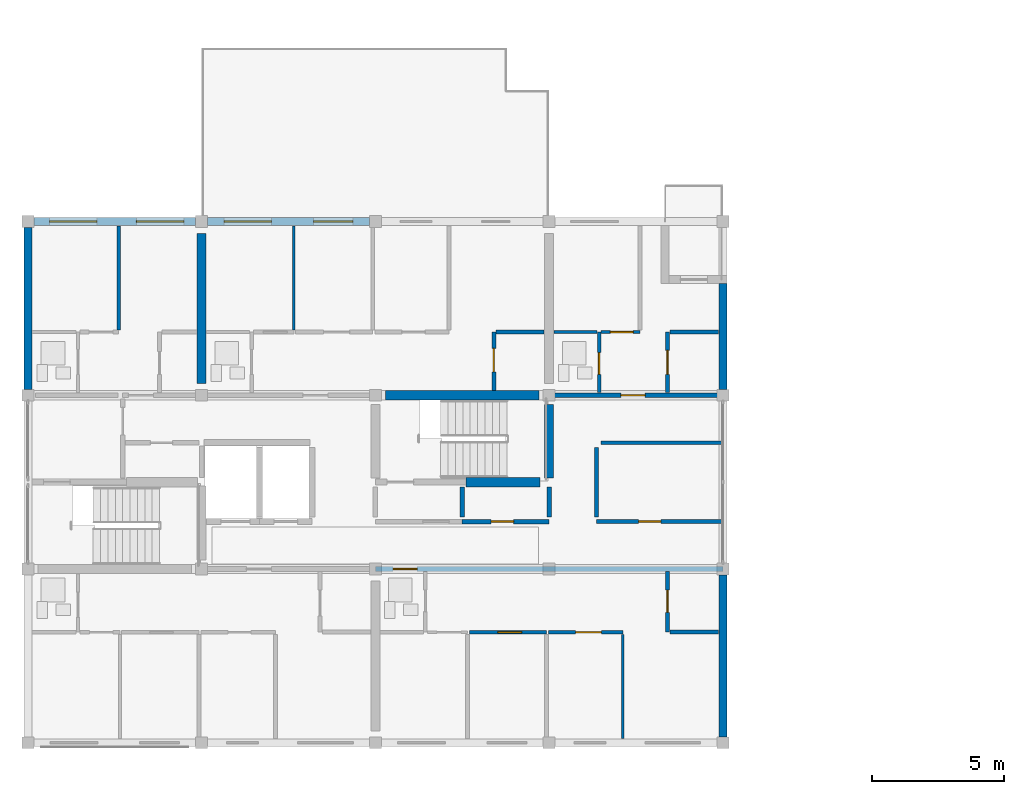
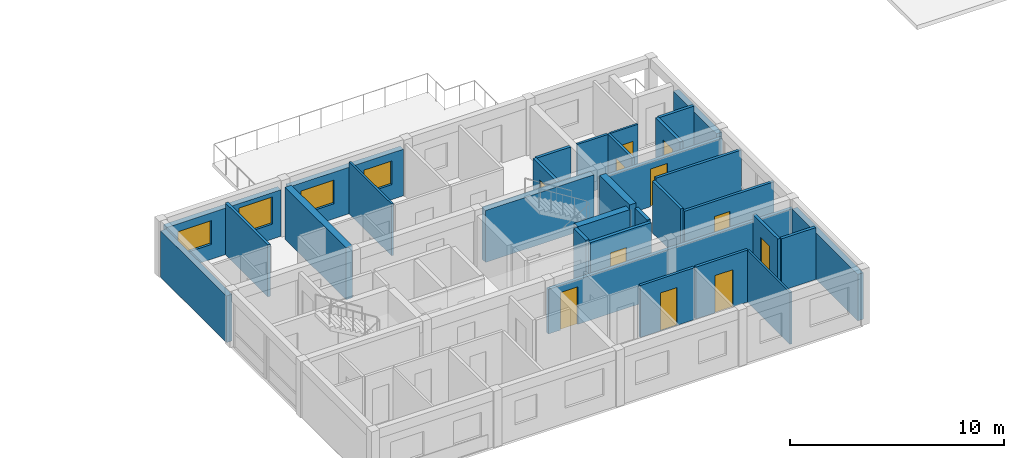
# One storey, part 28 of 51: 31 walls, 11 doors, 4 windows, 15 openings.
"""IFC4 building model written with IfcOpenShell, lengths in metres."""

import ifcopenshell
import ifcopenshell.guid

model = None  # the IFC model being written
_history = None  # IfcOwnerHistory: only IFC2X3 demands one
_inside = {}  # id of a spatial element -> (the spatial element, [elements in it])
_under = {}  # id of a project, library or spatial element -> (it, [spatial elements below it])
_declared = {}  # id of a project -> (the project, [libraries it declares])
_typed = {}  # id of a type object -> (the type object, [elements of that type])
_made_of = {}  # id of a material, layer set ... -> (it, [elements and type objects made of it])


def new_model(schema):
    """Start an empty IFC model of exactly this schema.

    Asked for "IFC4X3", IfcOpenShell would pick the latest addendum, in which some entities
    have other attributes; the version numbers below select the first issue.
    IFC2X3 requires an IfcOwnerHistory on every rooted entity: one is made here for all.
    """
    global model, _history
    if schema == "IFC4X3":
        model = ifcopenshell.file(schema_version=(4, 3, 0, 0))
    else:
        model = ifcopenshell.file(schema=schema)
    _inside.clear()
    _under.clear()
    _declared.clear()
    _typed.clear()
    _made_of.clear()
    _history = None
    if model.schema == "IFC2X3":
        org = make("IfcOrganization", Name="unknown")
        user = make(
            "IfcPersonAndOrganization",
            ThePerson=make("IfcPerson", FamilyName="unknown"),
            TheOrganization=org,
        )
        app = make(
            "IfcApplication",
            ApplicationDeveloper=org,
            Version="unknown",
            ApplicationFullName="unknown",
            ApplicationIdentifier="unknown",
        )
        _history = make(
            "IfcOwnerHistory",
            OwningUser=user,
            OwningApplication=app,
            ChangeAction="ADDED",
            CreationDate=0,
        )
    return model


def make(cls, **values):
    """One entity of the class cls with the attributes given. An attribute that is None is left unset."""
    return model.create_entity(
        cls, **{name: value for name, value in values.items() if value is not None}
    )


def rooted(cls, **values):
    """An entity with a GlobalId (a new one), such as an element, a storey or a relation."""
    return make(cls, GlobalId=ifcopenshell.guid.new(), OwnerHistory=_history, **values)


def si_unit(unit_type, name, prefix=None):
    """IfcSIUnit, for example si_unit("LENGTHUNIT", "METRE", prefix="MILLI")."""
    return make("IfcSIUnit", UnitType=unit_type, Prefix=prefix, Name=name)


def assignment(units):
    """IfcUnitAssignment: the units of a project."""
    return None if units is None else make("IfcUnitAssignment", Units=units)


def point(xyz):
    """IfcCartesianPoint."""
    return None if xyz is None else make("IfcCartesianPoint", Coordinates=xyz)


def direction(xyz):
    """IfcDirection."""
    return None if xyz is None else make("IfcDirection", DirectionRatios=xyz)


def frame(location, z_axis=None, x_axis=None):
    """IfcAxis2Placement3D, a coordinate frame: its origin and axes. An axis left out is left unset."""
    return make(
        "IfcAxis2Placement3D",
        Location=point(location),
        Axis=direction(z_axis),
        RefDirection=direction(x_axis),
    )


def frame_2d(location, x_axis=None):
    """IfcAxis2Placement2D, a coordinate frame in the plane: its origin and x axis."""
    return make(
        "IfcAxis2Placement2D", Location=point(location), RefDirection=direction(x_axis)
    )


def origin():
    """The frame at (0, 0, 0) with its axes left unset."""
    return frame((0.0, 0.0, 0.0))


def place(relative_to, where):
    """IfcLocalPlacement: puts the frame where relative to a parent placement (None: the world)."""
    return make(
        "IfcLocalPlacement", PlacementRelTo=relative_to, RelativePlacement=where
    )


def context(
    kind, dimensions, precision=None, world=None, true_north=None, identifier=None
):
    """IfcGeometricRepresentationContext, for example the 3D "Model" context."""
    return make(
        "IfcGeometricRepresentationContext",
        ContextIdentifier=identifier,
        ContextType=kind,
        CoordinateSpaceDimension=dimensions,
        Precision=precision,
        WorldCoordinateSystem=world,
        TrueNorth=true_north,
    )


def subcontext(parent, identifier, kind, view, scale=None):
    """IfcGeometricRepresentationSubContext, for example "Body" below "Model"."""
    return make(
        "IfcGeometricRepresentationSubContext",
        ContextIdentifier=identifier,
        ContextType=kind,
        ParentContext=parent,
        TargetScale=scale,
        TargetView=view,
    )


def project(units=None, contexts=None):
    """IfcProject with its units and contexts."""
    return rooted(
        "IfcProject",
        Name="project",
        RepresentationContexts=contexts,
        UnitsInContext=assignment(units),
    )


def spatial(cls, under=None, at=None, **own):
    """A site, building, storey or space (cls), placed at a placement, below another one or the project."""
    s = rooted(cls, ObjectPlacement=at, **own)
    if under is not None:
        _under.setdefault(under.id(), (under, []))[1].append(s)
    return s


def profile(cls, at=None, kind="AREA", **sizes):
    """A parametric profile (cls). Its sizes go by their IFC names, for example OverallWidth=200.0."""
    return make(cls, ProfileType=kind, Position=at, **sizes)


def rectangle(**sizes):
    """IfcRectangleProfileDef."""
    return profile("IfcRectangleProfileDef", **sizes)


def extrude(swept, where, along, depth):
    """IfcExtrudedAreaSolid: the profile swept, set in the frame where, extruded along a direction by depth."""
    return make(
        "IfcExtrudedAreaSolid",
        SweptArea=swept,
        Position=where,
        ExtrudedDirection=direction(along),
        Depth=depth,
    )


def shape(context_of_items, identifier, shape_type, items):
    """IfcShapeRepresentation: the items that make up one representation, for example the "Body"."""
    return make(
        "IfcShapeRepresentation",
        ContextOfItems=context_of_items,
        RepresentationIdentifier=identifier,
        RepresentationType=shape_type,
        Items=items,
    )


def material(Name=None, Category=None):
    """IfcMaterial."""
    return make("IfcMaterial", Name=Name, Category=Category)


def layer(
    of_material, thickness, ventilated=None, Name=None, Category=None, Priority=None
):
    """IfcMaterialLayer: one layer of a wall or slab, of a material (None: an air gap)."""
    return make(
        "IfcMaterialLayer",
        Material=of_material,
        LayerThickness=thickness,
        IsVentilated=ventilated,
        Name=Name,
        Category=Category,
        Priority=Priority,
    )


def layer_set(layers, Name=None):
    """IfcMaterialLayerSet."""
    return make("IfcMaterialLayerSet", MaterialLayers=layers, LayerSetName=Name)


def made_of(thing, what):
    """Note that an element or type object is made of a material, layer set ...; save() writes the relation."""
    if what is not None:
        _made_of.setdefault(what.id(), (what, []))[1].append(thing)
    return thing


def type_object(cls, material=None, **own):
    """A type object (cls), such as IfcWallType, which elements share."""
    return made_of(rooted(cls, **own), material)


def element(
    cls,
    number,
    at=None,
    inside=None,
    cuts=None,
    type_object=None,
    material=None,
    context=None,
    identifier="Body",
    shape_type=None,
    held_by="IfcProductDefinitionShape",
    body=None,
    shapes=None,
    **own,
):
    """One element of the class cls, such as IfcWall. Its Tag is "e" and its number.

    at: its placement. inside: the storey or other place that contains it. cuts: it is an
    opening in that element (IfcRelVoidsElement). A single representation is given by context,
    identifier, shape_type and body (its items); several are given by shapes. held_by: the class
    of the entity that holds the representations. save() writes the other relations.
    """
    e = rooted(cls, Tag="e%d" % number, ObjectPlacement=at, **own)
    if body is not None:
        shapes = [shape(context, identifier, shape_type, body)]
    if shapes is not None:
        e.Representation = make(held_by, Representations=shapes)
    if inside is not None:
        _inside.setdefault(inside.id(), (inside, []))[1].append(e)
    if cuts is not None:
        rooted(
            "IfcRelVoidsElement", RelatingBuildingElement=cuts, RelatedOpeningElement=e
        )
    if type_object is not None:
        _typed.setdefault(type_object.id(), (type_object, []))[1].append(e)
    return made_of(e, material)


def fill(opening, filler):
    """IfcRelFillsElement: the door or window that sits in an opening."""
    return rooted(
        "IfcRelFillsElement",
        RelatingOpeningElement=opening,
        RelatedBuildingElement=filler,
    )


def aggregate(whole, parts):
    """IfcRelAggregates: a whole, such as a stair, and the parts it consists of."""
    return rooted("IfcRelAggregates", RelatingObject=whole, RelatedObjects=parts)


def save(model, path):
    """Write the relations noted so far, then the file.

    IfcRelAggregates (storeys below a building ...), IfcRelContainedInSpatialStructure (elements
    in a storey), IfcRelDefinesByType, IfcRelAssociatesMaterial and IfcRelDeclares: one each for
    every whole, place, type object, material and project.
    """
    for whole, parts in _under.values():
        aggregate(whole, parts)
    for where, things in _inside.values():
        rooted(
            "IfcRelContainedInSpatialStructure",
            RelatedElements=things,
            RelatingStructure=where,
        )
    for kind, things in _typed.values():
        rooted("IfcRelDefinesByType", RelatedObjects=things, RelatingType=kind)
    for what, things in _made_of.values():
        rooted("IfcRelAssociatesMaterial", RelatedObjects=things, RelatingMaterial=what)
    for by, libraries in _declared.values():
        rooted("IfcRelDeclares", RelatingContext=by, RelatedDefinitions=libraries)
    model.write(path)


model = new_model("IFC4")

# Units and contexts
model_context = context("Model", 3, precision=1e-05, world=origin(), true_north=direction((0.0, 1.0)))
body_context = subcontext(model_context, "Body", "Model", "MODEL_VIEW")
ifc_project = project(units=[si_unit("LENGTHUNIT", "METRE"), si_unit("AREAUNIT", "SQUARE_METRE"), si_unit("VOLUMEUNIT", "CUBIC_METRE"), si_unit("PLANEANGLEUNIT", "RADIAN"), si_unit("MASSUNIT", "GRAM", prefix="KILO")], contexts=[model_context])

# Site, building, storey
site_placement = place(None, origin())
site = spatial("IfcSite", under=ifc_project, at=site_placement, CompositionType="ELEMENT")
building_placement = place(site_placement, origin())
building = spatial("IfcBuilding", under=site, at=building_placement, Name="Kernevlak Ridge Housing Community", CompositionType="ELEMENT")
storey_placement = place(building_placement, frame((0.0, 0.0, 8.39990234375)))
storey = spatial("IfcBuildingStorey", under=building, at=storey_placement, Name="L02", CompositionType="ELEMENT", Elevation=8.39990234375)

# Wall, openings, windows
ifc_material_1 = material(Name="Concrete block masonry M10", Category="masonry")
ifc_layer_1 = layer(ifc_material_1, 0.300048828125, Name="Concrete block masonry M10")
ifc_layer_set_1 = layer_set([ifc_layer_1], Name="Concrete block masonry M10")
wall_type_1 = type_object("IfcWallType", Name="EW-01", PredefinedType="STANDARD", material=ifc_layer_set_1)
wall_1_placement = place(storey_placement, frame((15.824951171875, 35.39990234375, 0.0), z_axis=(0.0, 0.0, 1.0), x_axis=(1.0, 0.0, 0.0)))
wall_1 = element("IfcWall", 1, at=wall_1_placement, inside=storey, type_object=wall_type_1, Name="Exterior wall EW-01 L02 743", PredefinedType="STANDARD", context=body_context, shape_type="SweptSolid", body=[
    extrude(rectangle(XDim=6.150146484375, YDim=0.300048828125, at=frame_2d((3.0751953125, 0.0))), origin(), (0.0, 0.0, 1.0), 2.650146484375),
])
opening_1_placement = place(wall_1_placement, frame((0.60009765625, 0.0, 0.85009765625)))
opening_1 = element("IfcOpeningElement", 2, at=opening_1_placement, cuts=wall_1, Name="Opening WT-03", PredefinedType="OPENING", context=body_context, shape_type="SweptSolid", body=[
    extrude(rectangle(XDim=1.800048828125, YDim=1.35009765625, at=frame_2d((0.89990234375, 0.675048828125))), frame((0.0, 0.159912109375, 0.0), z_axis=(0.0, -1.0, 0.0), x_axis=(1.0, 0.0, 0.0)), (0.0, 0.0, 1.0), 0.320068359375),
])
opening_2_placement = place(wall_1_placement, frame((3.89990234375, 0.0, 0.85009765625)))
opening_2 = element("IfcOpeningElement", 3, at=opening_2_placement, cuts=wall_1, Name="Opening WT-04", PredefinedType="OPENING", context=body_context, shape_type="SweptSolid", body=[
    extrude(rectangle(XDim=1.800048828125, YDim=1.550048828125, at=frame_2d((0.89990234375, 0.77490234375))), frame((0.0, 0.159912109375, 0.0), z_axis=(0.0, -1.0, 0.0), x_axis=(1.0, 0.0, 0.0)), (0.0, 0.0, 1.0), 0.320068359375),
])
ifc_material_2 = material(Name="Aluminium EN AW-6060 anodised and laminated glass", Category="aluminium")
window_type_1 = type_object("IfcWindowType", Name="WT-03", PartitioningType="SINGLE_PANEL", PredefinedType="WINDOW", material=ifc_material_2)
window_1_placement = place(opening_1_placement, origin())
window_1 = element("IfcWindow", 4, at=window_1_placement, inside=storey, type_object=window_type_1, Name="Window WT-03 L02 614", OverallHeight=1.35009765625, OverallWidth=1.800048828125, PartitioningType="SINGLE_PANEL", PredefinedType="WINDOW", context=body_context, shape_type="SweptSolid", body=[
    extrude(rectangle(XDim=1.800048828125, YDim=1.35009765625, at=frame_2d((0.89990234375, 0.675048828125))), frame((0.0, 0.030029296875, 0.0), z_axis=(0.0, -1.0, 0.0), x_axis=(1.0, 0.0, 0.0)), (0.0, 0.0, 1.0), 0.06005859375),
])
fill(opening_1, window_1)
window_type_2 = type_object("IfcWindowType", Name="WT-04", PartitioningType="SINGLE_PANEL", PredefinedType="WINDOW", material=ifc_material_2)
window_2_placement = place(opening_2_placement, origin())
window_2 = element("IfcWindow", 5, at=window_2_placement, inside=storey, type_object=window_type_2, Name="Window WT-04 L02 615", OverallHeight=1.550048828125, OverallWidth=1.800048828125, PartitioningType="SINGLE_PANEL", PredefinedType="WINDOW", context=body_context, shape_type="SweptSolid", body=[
    extrude(rectangle(XDim=1.800048828125, YDim=1.550048828125, at=frame_2d((0.89990234375, 0.77490234375))), frame((0.0, 0.030029296875, 0.0), z_axis=(0.0, -1.0, 0.0), x_axis=(1.0, 0.0, 0.0)), (0.0, 0.0, 1.0), 0.06005859375),
])
fill(opening_2, window_2)

wall_2_placement = place(storey_placement, frame((22.425048828125, 35.39990234375, 0.0), z_axis=(0.0, 0.0, 1.0), x_axis=(1.0, 0.0, 0.0)))
wall_2 = element("IfcWall", 6, at=wall_2_placement, inside=storey, type_object=wall_type_1, Name="Exterior wall EW-01 L02 744", PredefinedType="STANDARD", context=body_context, shape_type="SweptSolid", body=[
    extrude(rectangle(XDim=6.14990234375, YDim=0.300048828125, at=frame_2d((3.074951171875, 0.0))), origin(), (0.0, 0.0, 1.0), 2.650146484375),
])
opening_3_placement = place(wall_2_placement, frame((0.625, 0.0, 0.85009765625)))
opening_3 = element("IfcOpeningElement", 7, at=opening_3_placement, cuts=wall_2, Name="Opening WT-03", PredefinedType="OPENING", context=body_context, shape_type="SweptSolid", body=[
    extrude(rectangle(XDim=1.800048828125, YDim=1.35009765625, at=frame_2d((0.89990234375, 0.675048828125))), frame((0.0, 0.159912109375, 0.0), z_axis=(0.0, -1.0, 0.0), x_axis=(1.0, 0.0, 0.0)), (0.0, 0.0, 1.0), 0.320068359375),
])
opening_4_placement = place(wall_2_placement, frame((4.02490234375, 0.0, 0.85009765625)))
opening_4 = element("IfcOpeningElement", 8, at=opening_4_placement, cuts=wall_2, Name="Opening WT-02", PredefinedType="OPENING", context=body_context, shape_type="SweptSolid", body=[
    extrude(rectangle(XDim=1.5, YDim=1.35009765625, at=frame_2d((0.75, 0.675048828125))), frame((0.0, 0.159912109375, 0.0), z_axis=(0.0, -1.0, 0.0), x_axis=(1.0, 0.0, 0.0)), (0.0, 0.0, 1.0), 0.320068359375),
])
window_type_3 = type_object("IfcWindowType", Name="WT-02", PartitioningType="SINGLE_PANEL", PredefinedType="WINDOW", material=ifc_material_2)
window_3_placement = place(opening_4_placement, origin())
window_3 = element("IfcWindow", 9, at=window_3_placement, inside=storey, type_object=window_type_3, Name="Window WT-02 L02 617", OverallHeight=1.35009765625, OverallWidth=1.5, PartitioningType="SINGLE_PANEL", PredefinedType="WINDOW", context=body_context, shape_type="SweptSolid", body=[
    extrude(rectangle(XDim=1.5, YDim=1.35009765625, at=frame_2d((0.75, 0.675048828125))), frame((0.0, 0.030029296875, 0.0), z_axis=(0.0, -1.0, 0.0), x_axis=(1.0, 0.0, 0.0)), (0.0, 0.0, 1.0), 0.06005859375),
])
fill(opening_4, window_3)
window_4_placement = place(opening_3_placement, origin())
window_4 = element("IfcWindow", 10, at=window_4_placement, inside=storey, type_object=window_type_1, Name="Window WT-03 L02 616", OverallHeight=1.35009765625, OverallWidth=1.800048828125, PartitioningType="SINGLE_PANEL", PredefinedType="WINDOW", context=body_context, shape_type="SweptSolid", body=[
    extrude(rectangle(XDim=1.800048828125, YDim=1.35009765625, at=frame_2d((0.89990234375, 0.675048828125))), frame((0.0, 0.030029296875, 0.0), z_axis=(0.0, -1.0, 0.0), x_axis=(1.0, 0.0, 0.0)), (0.0, 0.0, 1.0), 0.06005859375),
])
fill(opening_3, window_4)

# Walls
for number, where, z_axis, x_axis, name in (
    (11, (15.60009765625, 29.02490234375, 0.0), (0.0, 0.0, 1.0), (0.0, 1.0, 0.0), "Exterior wall EW-01 L02 750"),
    (12, (42.0, 15.824951171875, 0.0), (0.0, 0.0, 1.0), (0.0, 1.0, 0.0), "Exterior wall EW-01 L02 751"),
):
    element("IfcWall", number, at=place(storey_placement, frame(where, z_axis=z_axis, x_axis=x_axis)), inside=storey, type_object=wall_type_1, Name=name, PredefinedType="STANDARD", context=body_context, shape_type="SweptSolid", body=[
        extrude(rectangle(XDim=6.150146484375, YDim=0.300048828125, at=frame_2d((3.0751953125, 0.0))), origin(), (0.0, 0.0, 1.0), 2.650146484375),
    ])
wall_3_placement = place(storey_placement, frame((42.0, 29.02490234375, 0.0), z_axis=(0.0, 0.0, 1.0), x_axis=(0.0, 1.0, 0.0)))
element("IfcWall", 13, at=wall_3_placement, inside=storey, type_object=wall_type_1, Name="Exterior wall EW-01 L02 752", PredefinedType="STANDARD", context=body_context, shape_type="SweptSolid", body=[
    extrude(rectangle(XDim=4.025146484375, YDim=0.300048828125, at=frame_2d((2.0126953125, 0.0))), origin(), (0.0, 0.0, 1.0), 2.650146484375),
])

# Wall, opening, door
ifc_layer_2 = layer(ifc_material_1, 0.175048828125, Name="Concrete block masonry M10")
ifc_layer_set_2 = layer_set([ifc_layer_2], Name="Concrete block masonry M10")
wall_type_2 = type_object("IfcWallType", Name="PW-02", PredefinedType="PARTITIONING", material=ifc_layer_set_2)
wall_4_placement = place(storey_placement, frame((32.10009765625, 24.0, 0.0), z_axis=(0.0, 0.0, 1.0), x_axis=(1.0, 0.0, 0.0)))
wall_4 = element("IfcWall", 14, at=wall_4_placement, inside=storey, type_object=wall_type_2, Name="Interior wall PW-02 WAL-INT-L02-3053", PredefinedType="PARTITIONING", context=body_context, shape_type="SweptSolid", body=[
    extrude(rectangle(XDim=3.2998046875, YDim=0.175048828125, at=frame_2d((1.64990234375, 0.0))), origin(), (0.0, 0.0, 1.0), 2.960205078125),
])
opening_5_placement = place(wall_4_placement, frame((1.10009765625, 0.0, 0.0)))
opening_5 = element("IfcOpeningElement", 15, at=opening_5_placement, cuts=wall_4, Name="Opening E547", PredefinedType="OPENING", context=body_context, shape_type="SweptSolid", body=[
    extrude(rectangle(XDim=0.85009765625, YDim=2.0, at=frame_2d((0.425048828125, 1.0))), frame((0.0, 0.097412109375, 0.0), z_axis=(0.0, -1.0, 0.0), x_axis=(1.0, 0.0, 0.0)), (0.0, 0.0, 1.0), 0.195068359375),
])
ifc_material_3 = material(Name="Fire-rated sheet steel leaf", Category="steel")
door_type_1 = type_object("IfcDoorType", Name="DT-07", OperationType="NOTDEFINED", PredefinedType="DOOR", material=ifc_material_3)
door_1_placement = place(opening_5_placement, origin())
door_1 = element("IfcDoor", 16, at=door_1_placement, inside=storey, type_object=door_type_1, Name="Block D Cleaner store door E547", OperationType="SINGLE_SWING_RIGHT", OverallHeight=2.0, OverallWidth=0.85009765625, PredefinedType="DOOR", context=body_context, shape_type="SweptSolid", body=[
    extrude(rectangle(XDim=0.85009765625, YDim=2.0, at=frame_2d((0.425048828125, 1.0))), frame((0.0, 0.02490234375, 0.0), z_axis=(0.0, -1.0, 0.0), x_axis=(1.0, 0.0, 0.0)), (0.0, 0.0, 1.0), 0.050048828125),
])
fill(opening_5, door_1)

# Walls
for number, where, z_axis, x_axis, name in (
    (17, (32.10009765625, 24.179931640625, 0.0), (0.0, 0.0, 1.0), (0.0, 1.0, 0.0), "Interior wall PW-02 WAL-INT-L02-3055"),
    (18, (35.39990234375, 24.179931640625, 0.0), (0.0, 0.0, 1.0), (0.0, 1.0, 0.0), "Interior wall PW-02 WAL-INT-L02-3056"),
):
    element("IfcWall", number, at=place(storey_placement, frame(where, z_axis=z_axis, x_axis=x_axis)), inside=storey, type_object=wall_type_2, Name=name, PredefinedType="PARTITIONING", context=body_context, shape_type="SweptSolid", body=[
        extrude(rectangle(XDim=1.14013671875, YDim=0.175048828125, at=frame_2d((0.570068359375, 0.0))), origin(), (0.0, 0.0, 1.0), 2.960205078125),
    ])

# Wall, opening, door
wall_5_placement = place(storey_placement, frame((28.800048828125, 22.199951171875, 0.0), z_axis=(0.0, 0.0, 1.0), x_axis=(1.0, 0.0, 0.0)))
wall_5 = element("IfcWall", 19, at=wall_5_placement, inside=storey, type_object=wall_type_2, Name="Interior wall PW-02 WAL-INT-L02-3071", PredefinedType="PARTITIONING", context=body_context, shape_type="SweptSolid", body=[
    extrude(rectangle(XDim=13.199951171875, YDim=0.175048828125, at=frame_2d((6.60009765625, 0.0))), origin(), (0.0, 0.0, 1.0), 2.550048828125),
])
opening_6_placement = place(wall_5_placement, frame((0.669921875, 0.0, 0.0)))
opening_6 = element("IfcOpeningElement", 20, at=opening_6_placement, cuts=wall_5, Name="Opening E555", PredefinedType="OPENING", context=body_context, shape_type="SweptSolid", body=[
    extrude(rectangle(XDim=0.919921875, YDim=2.139892578125, at=frame_2d((0.4599609375, 1.06982421875))), frame((0.0, 0.097412109375, 0.0), z_axis=(0.0, -1.0, 0.0), x_axis=(1.0, 0.0, 0.0)), (0.0, 0.0, 1.0), 0.195068359375),
])
ifc_material_4 = material(Name="Hardwood timber solid-core fire leaf", Category="wood")
door_type_2 = type_object("IfcDoorType", Name="DT-20", OperationType="NOTDEFINED", PredefinedType="DOOR", material=ifc_material_4)
door_2_placement = place(opening_6_placement, origin())
door_2 = element("IfcDoor", 21, at=door_2_placement, inside=storey, type_object=door_type_2, Name="Flat D0212 entrance fire door E555", OperationType="SINGLE_SWING_RIGHT", OverallHeight=2.139892578125, OverallWidth=0.919921875, PredefinedType="DOOR", context=body_context, shape_type="SweptSolid", body=[
    extrude(rectangle(XDim=0.919921875, YDim=2.139892578125, at=frame_2d((0.4599609375, 1.06982421875))), frame((0.0, 0.02490234375, 0.0), z_axis=(0.0, -1.0, 0.0), x_axis=(1.0, 0.0, 0.0)), (0.0, 0.0, 1.0), 0.050048828125),
])
fill(opening_6, door_2)

wall_6_placement = place(storey_placement, frame((35.39990234375, 28.800048828125, 0.0), z_axis=(0.0, 0.0, 1.0), x_axis=(1.0, 0.0, 0.0)))
wall_6 = element("IfcWall", 22, at=wall_6_placement, inside=storey, type_object=wall_type_2, Name="Interior wall PW-02 WAL-INT-L02-3101", PredefinedType="PARTITIONING", context=body_context, shape_type="SweptSolid", body=[
    extrude(rectangle(XDim=6.60009765625, YDim=0.175048828125, at=frame_2d((3.300048828125, 0.0))), origin(), (0.0, 0.0, 1.0), 2.550048828125),
])
opening_7_placement = place(wall_6_placement, frame((2.72509765625, 0.0, 0.0)))
opening_7 = element("IfcOpeningElement", 23, at=opening_7_placement, cuts=wall_6, Name="Opening E572", PredefinedType="OPENING", context=body_context, shape_type="SweptSolid", body=[
    extrude(rectangle(XDim=0.919921875, YDim=2.139892578125, at=frame_2d((0.4599609375, 1.06982421875))), frame((0.0, 0.097412109375, 0.0), z_axis=(0.0, -1.0, 0.0), x_axis=(1.0, 0.0, 0.0)), (0.0, 0.0, 1.0), 0.195068359375),
])
door_3_placement = place(opening_7_placement, origin())
door_3 = element("IfcDoor", 24, at=door_3_placement, inside=storey, type_object=door_type_2, Name="Flat D0223 entrance fire door E572", OperationType="SINGLE_SWING_LEFT", OverallHeight=2.139892578125, OverallWidth=0.919921875, PredefinedType="DOOR", context=body_context, shape_type="SweptSolid", body=[
    extrude(rectangle(XDim=0.919921875, YDim=2.139892578125, at=frame_2d((0.4599609375, 1.06982421875))), frame((0.0, 0.02490234375, 0.0), z_axis=(0.0, -1.0, 0.0), x_axis=(1.0, 0.0, 0.0)), (0.0, 0.0, 1.0), 0.050048828125),
])
fill(opening_7, door_3)

ifc_layer_3 = layer(ifc_material_1, 0.14501953125, Name="Concrete block masonry M10")
ifc_layer_set_3 = layer_set([ifc_layer_3], Name="Concrete block masonry M10")
wall_type_3 = type_object("IfcWallType", Name="PW-03", PredefinedType="PARTITIONING", material=ifc_layer_set_3)
wall_7_placement = place(storey_placement, frame((37.199951171875, 24.0, 0.0), z_axis=(0.0, 0.0, 1.0), x_axis=(1.0, 0.0, 0.0)))
wall_7 = element("IfcWall", 25, at=wall_7_placement, inside=storey, type_object=wall_type_3, Name="Interior wall PW-03 WAL-INT-L02-3057", PredefinedType="PARTITIONING", context=body_context, shape_type="SweptSolid", body=[
    extrude(rectangle(XDim=4.800048828125, YDim=0.14501953125, at=frame_2d((2.39990234375, 0.0))), origin(), (0.0, 0.0, 1.0), 2.960205078125),
])
opening_8_placement = place(wall_7_placement, frame((1.60009765625, 0.0, 0.0)))
opening_8 = element("IfcOpeningElement", 26, at=opening_8_placement, cuts=wall_7, Name="Opening E548", PredefinedType="OPENING", context=body_context, shape_type="SweptSolid", body=[
    extrude(rectangle(XDim=0.85009765625, YDim=2.10009765625, at=frame_2d((0.425048828125, 1.050048828125))), frame((0.0, 0.08251953125, 0.0), z_axis=(0.0, -1.0, 0.0), x_axis=(1.0, 0.0, 0.0)), (0.0, 0.0, 1.0), 0.1650390625),
])
ifc_material_5 = material(Name="Hardwood timber leaf", Category="wood")
door_type_3 = type_object("IfcDoorType", Name="DT-03", OperationType="NOTDEFINED", PredefinedType="DOOR", material=ifc_material_5)
door_4_placement = place(opening_8_placement, origin())
door_4 = element("IfcDoor", 27, at=door_4_placement, inside=storey, type_object=door_type_3, Name="Block D Laundry room door E548", OperationType="SINGLE_SWING_LEFT", OverallHeight=2.10009765625, OverallWidth=0.85009765625, PredefinedType="DOOR", context=body_context, shape_type="SweptSolid", body=[
    extrude(rectangle(XDim=0.85009765625, YDim=2.10009765625, at=frame_2d((0.425048828125, 1.050048828125))), frame((0.0, 0.02490234375, 0.0), z_axis=(0.0, -1.0, 0.0), x_axis=(1.0, 0.0, 0.0)), (0.0, 0.0, 1.0), 0.050048828125),
])
fill(opening_8, door_4)

# Walls
wall_8_placement = place(storey_placement, frame((37.3798828125, 27.0, 0.0), z_axis=(0.0, 0.0, 1.0), x_axis=(1.0, 0.0, 0.0)))
element("IfcWall", 28, at=wall_8_placement, inside=storey, type_object=wall_type_3, Name="Interior wall PW-03 WAL-INT-L02-3058", PredefinedType="PARTITIONING", context=body_context, shape_type="SweptSolid", body=[
    extrude(rectangle(XDim=4.60009765625, YDim=0.14501953125, at=frame_2d((2.300048828125, 0.0))), origin(), (0.0, 0.0, 1.0), 2.960205078125),
])
wall_9_placement = place(storey_placement, frame((37.199951171875, 24.179931640625, 0.0), z_axis=(0.0, 0.0, 1.0), x_axis=(0.0, 1.0, 0.0)))
element("IfcWall", 29, at=wall_9_placement, inside=storey, type_object=wall_type_3, Name="Interior wall PW-03 WAL-INT-L02-3059", PredefinedType="PARTITIONING", context=body_context, shape_type="SweptSolid", body=[
    extrude(rectangle(XDim=2.64013671875, YDim=0.14501953125, at=frame_2d((1.320068359375, 0.0))), origin(), (0.0, 0.0, 1.0), 2.960205078125),
])

# Wall, opening, door
wall_10_placement = place(storey_placement, frame((32.382568359375, 19.800048828125, 0.0), z_axis=(0.0, 0.0, 1.0), x_axis=(1.0, 0.0, 0.0)))
wall_10 = element("IfcWall", 30, at=wall_10_placement, inside=storey, type_object=wall_type_3, Name="Interior wall PW-03 WAL-INT-L02-3078", PredefinedType="PARTITIONING", context=body_context, shape_type="SweptSolid", body=[
    extrude(rectangle(XDim=2.91748046875, YDim=0.14501953125, at=frame_2d((1.458740234375, 0.0))), origin(), (0.0, 0.0, 1.0), 2.960205078125),
])
opening_9_placement = place(wall_10_placement, frame((1.074951171875, 0.0, 0.0)))
opening_9 = element("IfcOpeningElement", 31, at=opening_9_placement, cuts=wall_10, Name="Opening E559", PredefinedType="OPENING", context=body_context, shape_type="SweptSolid", body=[
    extrude(rectangle(XDim=0.89990234375, YDim=2.159912109375, at=frame_2d((0.449951171875, 1.080078125))), frame((0.0, 0.08251953125, 0.0), z_axis=(0.0, -1.0, 0.0), x_axis=(1.0, 0.0, 0.0)), (0.0, 0.0, 1.0), 0.1650390625),
])
door_type_4 = type_object("IfcDoorType", Name="DT-22", OperationType="NOTDEFINED", PredefinedType="DOOR", material=ifc_material_5)
door_5_placement = place(opening_9_placement, origin())
door_5 = element("IfcDoor", 32, at=door_5_placement, inside=storey, type_object=door_type_4, Name="Flat D0212 bedroom door E559", OperationType="SINGLE_SWING_RIGHT", OverallHeight=2.159912109375, OverallWidth=0.89990234375, PredefinedType="DOOR", context=body_context, shape_type="SweptSolid", body=[
    extrude(rectangle(XDim=0.89990234375, YDim=2.159912109375, at=frame_2d((0.449951171875, 1.080078125))), frame((0.0, 0.02490234375, 0.0), z_axis=(0.0, -1.0, 0.0), x_axis=(1.0, 0.0, 0.0)), (0.0, 0.0, 1.0), 0.050048828125),
])
fill(opening_9, door_5)

wall_11_placement = place(storey_placement, frame((35.382568359375, 19.800048828125, 0.0), z_axis=(0.0, 0.0, 1.0), x_axis=(1.0, 0.0, 0.0)))
wall_11 = element("IfcWall", 33, at=wall_11_placement, inside=storey, type_object=wall_type_3, Name="Interior wall PW-03 WAL-INT-L02-3080", PredefinedType="PARTITIONING", context=body_context, shape_type="SweptSolid", body=[
    extrude(rectangle(XDim=2.8173828125, YDim=0.14501953125, at=frame_2d((1.40869140625, 0.0))), origin(), (0.0, 0.0, 1.0), 2.960205078125),
])
opening_10_placement = place(wall_11_placement, frame((1.02490234375, 0.0, 0.0)))
opening_10 = element("IfcOpeningElement", 34, at=opening_10_placement, cuts=wall_11, Name="Opening E560", PredefinedType="OPENING", context=body_context, shape_type="SweptSolid", body=[
    extrude(rectangle(XDim=0.97998046875, YDim=2.1201171875, at=frame_2d((0.489990234375, 1.06005859375))), frame((0.0, 0.08251953125, 0.0), z_axis=(0.0, -1.0, 0.0), x_axis=(1.0, 0.0, 0.0)), (0.0, 0.0, 1.0), 0.1650390625),
])
door_type_5 = type_object("IfcDoorType", Name="DT-24", OperationType="NOTDEFINED", PredefinedType="DOOR", material=ifc_material_5)
door_6_placement = place(opening_10_placement, origin())
door_6 = element("IfcDoor", 35, at=door_6_placement, inside=storey, type_object=door_type_5, Name="Flat D0212 bedroom door E560", OperationType="SINGLE_SWING_LEFT", OverallHeight=2.1201171875, OverallWidth=0.97998046875, PredefinedType="DOOR", context=body_context, shape_type="SweptSolid", body=[
    extrude(rectangle(XDim=0.97998046875, YDim=2.1201171875, at=frame_2d((0.489990234375, 1.06005859375))), frame((0.0, 0.02490234375, 0.0), z_axis=(0.0, -1.0, 0.0), x_axis=(1.0, 0.0, 0.0)), (0.0, 0.0, 1.0), 0.050048828125),
])
fill(opening_10, door_6)

# Wall
wall_12_placement = place(storey_placement, frame((19.050048828125, 31.282470703125, 0.0), z_axis=(0.0, 0.0, 1.0), x_axis=(0.0, 1.0, 0.0)))
element("IfcWall", 36, at=wall_12_placement, inside=storey, type_object=wall_type_3, Name="Interior wall PW-03 WAL-INT-L02-3089", PredefinedType="PARTITIONING", context=body_context, shape_type="SweptSolid", body=[
    extrude(rectangle(XDim=3.95751953125, YDim=0.14501953125, at=frame_2d((1.978759765625, 0.0))), origin(), (0.0, 0.0, 1.0), 2.960205078125),
])

# Wall, opening, door
ifc_material_6 = material(Name="Gypsum plasterboard EN 520", Category="gypsum")
ifc_layer_4 = layer(ifc_material_6, 0.125, Name="Gypsum plasterboard EN 520")
ifc_layer_set_4 = layer_set([ifc_layer_4], Name="Gypsum plasterboard EN 520")
wall_type_4 = type_object("IfcWallType", Name="PW-04", PredefinedType="PARTITIONING", material=ifc_layer_set_4)
wall_13_placement = place(storey_placement, frame((37.300048828125, 28.8974609375, 0.0), z_axis=(0.0, 0.0, 1.0), x_axis=(0.0, 1.0, 0.0)))
wall_13 = element("IfcWall", 37, at=wall_13_placement, inside=storey, type_object=wall_type_4, Name="Interior wall PW-04 WAL-INT-L02-3102", PredefinedType="PARTITIONING", context=body_context, shape_type="SweptSolid", body=[
    extrude(rectangle(XDim=2.302490234375, YDim=0.125, at=frame_2d((1.1513671875, 0.0))), origin(), (0.0, 0.0, 1.0), 2.960205078125),
])
opening_11_placement = place(wall_13_placement, frame((0.699951171875, 0.0, 0.0)))
opening_11 = element("IfcOpeningElement", 38, at=opening_11_placement, cuts=wall_13, Name="Opening E573", PredefinedType="OPENING", context=body_context, shape_type="SweptSolid", body=[
    extrude(rectangle(XDim=0.820068359375, YDim=2.050048828125, at=frame_2d((0.41015625, 1.02490234375))), frame((0.0, 0.072509765625, 0.0), z_axis=(0.0, -1.0, 0.0), x_axis=(1.0, 0.0, 0.0)), (0.0, 0.0, 1.0), 0.14501953125),
])
ifc_material_7 = material(Name="Hardwood timber moisture-resistant leaf", Category="wood")
door_type_6 = type_object("IfcDoorType", Name="DT-30", OperationType="NOTDEFINED", PredefinedType="DOOR", material=ifc_material_7)
door_7_placement = place(opening_11_placement, origin())
door_7 = element("IfcDoor", 39, at=door_7_placement, inside=storey, type_object=door_type_6, Name="Flat D0223 bathroom door E573", OperationType="SINGLE_SWING_RIGHT", OverallHeight=2.050048828125, OverallWidth=0.820068359375, PredefinedType="DOOR", context=body_context, shape_type="SweptSolid", body=[
    extrude(rectangle(XDim=0.820068359375, YDim=2.050048828125, at=frame_2d((0.41015625, 1.02490234375))), frame((0.0, 0.02490234375, 0.0), z_axis=(0.0, -1.0, 0.0), x_axis=(1.0, 0.0, 0.0)), (0.0, 0.0, 1.0), 0.050048828125),
])
fill(opening_11, door_7)

# Wall
wall_14_placement = place(storey_placement, frame((35.5849609375, 31.199951171875, 0.0), z_axis=(0.0, 0.0, 1.0), x_axis=(1.0, 0.0, 0.0)))
element("IfcWall", 40, at=wall_14_placement, inside=storey, type_object=wall_type_4, Name="Interior wall PW-04 WAL-INT-L02-3103", PredefinedType="PARTITIONING", context=body_context, shape_type="SweptSolid", body=[
    extrude(rectangle(XDim=1.635009765625, YDim=0.125, at=frame_2d((0.8173828125, 0.0))), origin(), (0.0, 0.0, 1.0), 2.960205078125),
])

# Wall, opening, door
ifc_layer_5 = layer(ifc_material_6, 0.155029296875, Name="Gypsum plasterboard EN 520")
ifc_layer_set_5 = layer_set([ifc_layer_5], Name="Gypsum plasterboard EN 520")
wall_type_5 = type_object("IfcWallType", Name="PW-05", PredefinedType="PARTITIONING", material=ifc_layer_set_5)
wall_15_placement = place(storey_placement, frame((39.89990234375, 22.1025390625, 0.0), z_axis=(0.0, 0.0, 1.0), x_axis=(0.0, -1.0, 0.0)))
wall_15 = element("IfcWall", 41, at=wall_15_placement, inside=storey, type_object=wall_type_5, Name="Interior wall PW-05 WAL-INT-L02-3074", PredefinedType="PARTITIONING", context=body_context, shape_type="SweptSolid", body=[
    extrude(rectangle(XDim=2.302490234375, YDim=0.155029296875, at=frame_2d((1.1513671875, 0.0))), origin(), (0.0, 0.0, 1.0), 2.960205078125),
])
opening_12_placement = place(wall_15_placement, frame((0.699951171875, 0.0, 0.0)))
opening_12 = element("IfcOpeningElement", 42, at=opening_12_placement, cuts=wall_15, Name="Opening E557", PredefinedType="OPENING", context=body_context, shape_type="SweptSolid", body=[
    extrude(rectangle(XDim=0.85009765625, YDim=2.10009765625, at=frame_2d((0.425048828125, 1.050048828125))), frame((0.0, 0.08740234375, 0.0), z_axis=(0.0, -1.0, 0.0), x_axis=(1.0, 0.0, 0.0)), (0.0, 0.0, 1.0), 0.175048828125),
])
door_8_placement = place(opening_12_placement, origin())
door_8 = element("IfcDoor", 43, at=door_8_placement, inside=storey, type_object=door_type_3, Name="Flat D0212 kitchen door E557", OperationType="SINGLE_SWING_RIGHT", OverallHeight=2.10009765625, OverallWidth=0.85009765625, PredefinedType="DOOR", context=body_context, shape_type="SweptSolid", body=[
    extrude(rectangle(XDim=0.85009765625, YDim=2.10009765625, at=frame_2d((0.425048828125, 1.050048828125))), frame((0.0, 0.02490234375, 0.0), z_axis=(0.0, -1.0, 0.0), x_axis=(1.0, 0.0, 0.0)), (0.0, 0.0, 1.0), 0.050048828125),
])
fill(opening_12, door_8)

# Wall
wall_16_placement = place(storey_placement, frame((39.987548828125, 19.800048828125, 0.0), z_axis=(0.0, 0.0, 1.0), x_axis=(1.0, 0.0, 0.0)))
element("IfcWall", 44, at=wall_16_placement, inside=storey, type_object=wall_type_5, Name="Interior wall PW-05 WAL-INT-L02-3075", PredefinedType="PARTITIONING", context=body_context, shape_type="SweptSolid", body=[
    extrude(rectangle(XDim=1.8525390625, YDim=0.155029296875, at=frame_2d((0.92626953125, 0.0))), origin(), (0.0, 0.0, 1.0), 2.960205078125),
])

# Wall, opening, door
wall_17_placement = place(storey_placement, frame((33.300048828125, 28.985107421875, 0.0), z_axis=(0.0, 0.0, 1.0), x_axis=(0.0, 1.0, 0.0)))
wall_17 = element("IfcWall", 45, at=wall_17_placement, inside=storey, type_object=wall_type_5, Name="Interior wall PW-05 WAL-INT-L02-3093", PredefinedType="PARTITIONING", context=body_context, shape_type="SweptSolid", body=[
    extrude(rectangle(XDim=2.21484375, YDim=0.155029296875, at=frame_2d((1.107421875, 0.0))), origin(), (0.0, 0.0, 1.0), 2.960205078125),
])
opening_13_placement = place(wall_17_placement, frame((0.699951171875, 0.0, 0.0)))
opening_13 = element("IfcOpeningElement", 46, at=opening_13_placement, cuts=wall_17, Name="Opening E567", PredefinedType="OPENING", context=body_context, shape_type="SweptSolid", body=[
    extrude(rectangle(XDim=0.89990234375, YDim=2.10009765625, at=frame_2d((0.449951171875, 1.050048828125))), frame((0.0, 0.08740234375, 0.0), z_axis=(0.0, -1.0, 0.0), x_axis=(1.0, 0.0, 0.0)), (0.0, 0.0, 1.0), 0.175048828125),
])
door_type_7 = type_object("IfcDoorType", Name="DT-21", OperationType="NOTDEFINED", PredefinedType="DOOR", material=ifc_material_5)
door_9_placement = place(opening_13_placement, origin())
door_9 = element("IfcDoor", 47, at=door_9_placement, inside=storey, type_object=door_type_7, Name="Flat D0222 kitchen door E567", OperationType="SINGLE_SWING_RIGHT", OverallHeight=2.10009765625, OverallWidth=0.89990234375, PredefinedType="DOOR", context=body_context, shape_type="SweptSolid", body=[
    extrude(rectangle(XDim=0.89990234375, YDim=2.10009765625, at=frame_2d((0.449951171875, 1.050048828125))), frame((0.0, 0.02490234375, 0.0), z_axis=(0.0, -1.0, 0.0), x_axis=(1.0, 0.0, 0.0)), (0.0, 0.0, 1.0), 0.050048828125),
])
fill(opening_13, door_9)

# Wall
wall_18_placement = place(storey_placement, frame((33.387451171875, 31.199951171875, 0.0), z_axis=(0.0, 0.0, 1.0), x_axis=(1.0, 0.0, 0.0)))
element("IfcWall", 48, at=wall_18_placement, inside=storey, type_object=wall_type_5, Name="Interior wall PW-05 WAL-INT-L02-3094", PredefinedType="PARTITIONING", context=body_context, shape_type="SweptSolid", body=[
    extrude(rectangle(XDim=1.82763671875, YDim=0.155029296875, at=frame_2d((0.913818359375, 0.0))), origin(), (0.0, 0.0, 1.0), 2.960205078125),
])

# Wall, opening, door
wall_19_placement = place(storey_placement, frame((39.89990234375, 28.8974609375, 0.0), z_axis=(0.0, 0.0, 1.0), x_axis=(0.0, 1.0, 0.0)))
wall_19 = element("IfcWall", 49, at=wall_19_placement, inside=storey, type_object=wall_type_5, Name="Interior wall PW-05 WAL-INT-L02-3104", PredefinedType="PARTITIONING", context=body_context, shape_type="SweptSolid", body=[
    extrude(rectangle(XDim=2.302490234375, YDim=0.155029296875, at=frame_2d((1.1513671875, 0.0))), origin(), (0.0, 0.0, 1.0), 2.960205078125),
])
opening_14_placement = place(wall_19_placement, frame((0.699951171875, 0.0, 0.0)))
opening_14 = element("IfcOpeningElement", 50, at=opening_14_placement, cuts=wall_19, Name="Opening E574", PredefinedType="OPENING", context=body_context, shape_type="SweptSolid", body=[
    extrude(rectangle(XDim=0.909912109375, YDim=2.139892578125, at=frame_2d((0.455078125, 1.06982421875))), frame((0.0, 0.08740234375, 0.0), z_axis=(0.0, -1.0, 0.0), x_axis=(1.0, 0.0, 0.0)), (0.0, 0.0, 1.0), 0.175048828125),
])
door_type_8 = type_object("IfcDoorType", Name="DT-31", OperationType="NOTDEFINED", PredefinedType="DOOR", material=ifc_material_5)
door_10_placement = place(opening_14_placement, origin())
door_10 = element("IfcDoor", 51, at=door_10_placement, inside=storey, type_object=door_type_8, Name="Flat D0223 kitchen door E574", OperationType="SINGLE_SWING_LEFT", OverallHeight=2.139892578125, OverallWidth=0.909912109375, PredefinedType="DOOR", context=body_context, shape_type="SweptSolid", body=[
    extrude(rectangle(XDim=0.909912109375, YDim=2.139892578125, at=frame_2d((0.455078125, 1.06982421875))), frame((0.0, 0.02490234375, 0.0), z_axis=(0.0, -1.0, 0.0), x_axis=(1.0, 0.0, 0.0)), (0.0, 0.0, 1.0), 0.050048828125),
])
fill(opening_14, door_10)

# Walls
wall_20_placement = place(storey_placement, frame((39.987548828125, 31.199951171875, 0.0), z_axis=(0.0, 0.0, 1.0), x_axis=(1.0, 0.0, 0.0)))
element("IfcWall", 52, at=wall_20_placement, inside=storey, type_object=wall_type_5, Name="Interior wall PW-05 WAL-INT-L02-3105", PredefinedType="PARTITIONING", context=body_context, shape_type="SweptSolid", body=[
    extrude(rectangle(XDim=1.8525390625, YDim=0.155029296875, at=frame_2d((0.92626953125, 0.0))), origin(), (0.0, 0.0, 1.0), 2.960205078125),
])
ifc_layer_6 = layer(ifc_material_6, 0.10498046875, Name="Gypsum plasterboard EN 520")
ifc_layer_set_6 = layer_set([ifc_layer_6], Name="Gypsum plasterboard EN 520")
wall_type_6 = type_object("IfcWallType", Name="PW-06", PredefinedType="PARTITIONING", material=ifc_layer_set_6)
for number, where, z_axis, x_axis, name in (
    (53, (38.199951171875, 19.717529296875, 0.0), (0.0, 0.0, 1.0), (0.0, -1.0, 0.0), "Interior wall PW-06 WAL-INT-L02-3081"),
    (54, (25.699951171875, 31.282470703125, 0.0), (0.0, 0.0, 1.0), (0.0, 1.0, 0.0), "Interior wall PW-06 WAL-INT-L02-3096"),
):
    element("IfcWall", number, at=place(storey_placement, frame(where, z_axis=z_axis, x_axis=x_axis)), inside=storey, type_object=wall_type_6, Name=name, PredefinedType="PARTITIONING", context=body_context, shape_type="SweptSolid", body=[
        extrude(rectangle(XDim=3.95751953125, YDim=0.10498046875, at=frame_2d((1.978759765625, 0.0))), origin(), (0.0, 0.0, 1.0), 2.960205078125),
    ])

# Wall, opening, door
wall_21_placement = place(storey_placement, frame((37.37255859375, 31.199951171875, 0.0), z_axis=(0.0, 0.0, 1.0), x_axis=(1.0, 0.0, 0.0)))
wall_21 = element("IfcWall", 55, at=wall_21_placement, inside=storey, type_object=wall_type_6, Name="Interior wall PW-06 WAL-INT-L02-3106", PredefinedType="PARTITIONING", context=body_context, shape_type="SweptSolid", body=[
    extrude(rectangle(XDim=1.4775390625, YDim=0.10498046875, at=frame_2d((0.73876953125, 0.0))), origin(), (0.0, 0.0, 1.0), 2.960205078125),
])
opening_15_placement = place(wall_21_placement, frame((0.35009765625, 0.0, 0.0)))
opening_15 = element("IfcOpeningElement", 56, at=opening_15_placement, cuts=wall_21, Name="Opening E575", PredefinedType="OPENING", context=body_context, shape_type="SweptSolid", body=[
    extrude(rectangle(XDim=0.8701171875, YDim=2.080078125, at=frame_2d((0.43505859375, 1.0400390625))), frame((0.0, 0.0625, 0.0), z_axis=(0.0, -1.0, 0.0), x_axis=(1.0, 0.0, 0.0)), (0.0, 0.0, 1.0), 0.125),
])
door_type_9 = type_object("IfcDoorType", Name="DT-32", OperationType="NOTDEFINED", PredefinedType="DOOR", material=ifc_material_5)
door_11_placement = place(opening_15_placement, origin())
door_11 = element("IfcDoor", 57, at=door_11_placement, inside=storey, type_object=door_type_9, Name="Flat D0223 bedroom door E575", OperationType="SINGLE_SWING_RIGHT", OverallHeight=2.080078125, OverallWidth=0.8701171875, PredefinedType="DOOR", context=body_context, shape_type="SweptSolid", body=[
    extrude(rectangle(XDim=0.8701171875, YDim=2.080078125, at=frame_2d((0.43505859375, 1.0400390625))), frame((0.0, 0.02490234375, 0.0), z_axis=(0.0, -1.0, 0.0), x_axis=(1.0, 0.0, 0.0)), (0.0, 0.0, 1.0), 0.050048828125),
])
fill(opening_15, door_11)

# Walls
ifc_material_8 = material(Name="Concrete C40/50", Category="concrete")
ifc_layer_7 = layer(ifc_material_8, 0.35009765625, Name="Concrete C40/50")
ifc_layer_set_7 = layer_set([ifc_layer_7], Name="Concrete C40/50")
wall_type_7 = type_object("IfcWallType", Name="SW-01", PredefinedType="SHEAR", material=ifc_layer_set_7)
wall_22_placement = place(storey_placement, frame((29.179931640625, 28.800048828125, 0.0), z_axis=(0.0, 0.0, 1.0), x_axis=(1.0, 0.0, 0.0)))
element("IfcWall", 58, at=wall_22_placement, inside=storey, type_object=wall_type_7, Name="Shear wall SW-01 Block D L02 530", PredefinedType="SHEAR", context=body_context, shape_type="SweptSolid", body=[
    extrude(rectangle(XDim=5.840087890625, YDim=0.35009765625, at=frame_2d((2.919921875, 0.0))), origin(), (0.0, 0.0, 1.0), 2.960205078125),
])
for number, where, z_axis, x_axis, name in (
    (59, (32.25, 25.5, 0.0), (0.0, 0.0, 1.0), (1.0, 0.0, 0.0), "Shear wall SW-01 Block D L02 531"),
    (60, (35.39990234375, 25.64990234375, 0.0), (0.0, 0.0, 1.0), (0.0, 1.0, 0.0), "Shear wall SW-01 Block D L02 533"),
):
    element("IfcWall", number, at=place(storey_placement, frame(where, z_axis=z_axis, x_axis=x_axis)), inside=storey, type_object=wall_type_7, Name=name, PredefinedType="SHEAR", context=body_context, shape_type="SweptSolid", body=[
        extrude(rectangle(XDim=2.800048828125, YDim=0.35009765625, at=frame_2d((1.39990234375, 0.0))), origin(), (0.0, 0.0, 1.0), 2.960205078125),
    ])
wall_23_placement = place(storey_placement, frame((22.199951171875, 29.25, 0.0), z_axis=(0.0, 0.0, 1.0), x_axis=(0.0, 1.0, 0.0)))
element("IfcWall", 61, at=wall_23_placement, inside=storey, type_object=wall_type_7, Name="Shear wall SW-01 Block D L02 535", PredefinedType="SHEAR", context=body_context, shape_type="SweptSolid", body=[
    extrude(rectangle(XDim=5.699951171875, YDim=0.35009765625, at=frame_2d((2.85009765625, 0.0))), origin(), (0.0, 0.0, 1.0), 2.960205078125),
])

save(model, "model.ifc")
